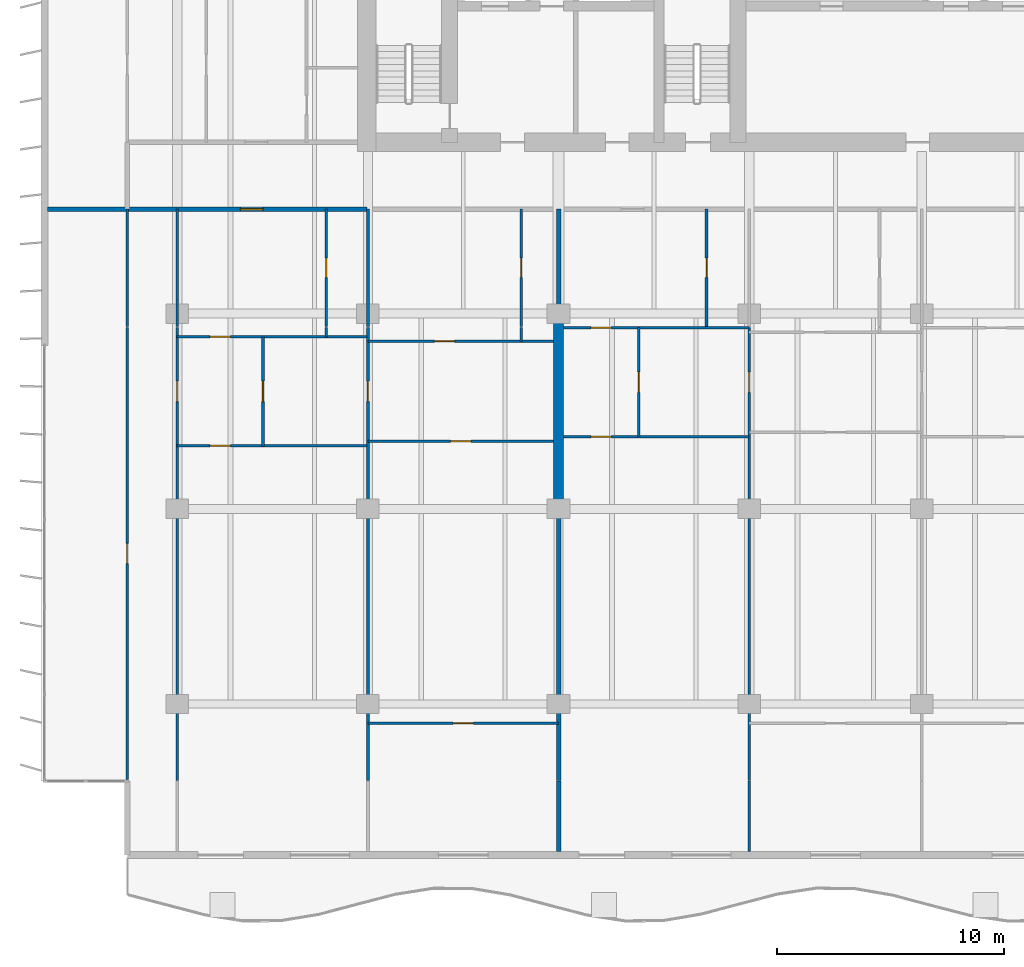
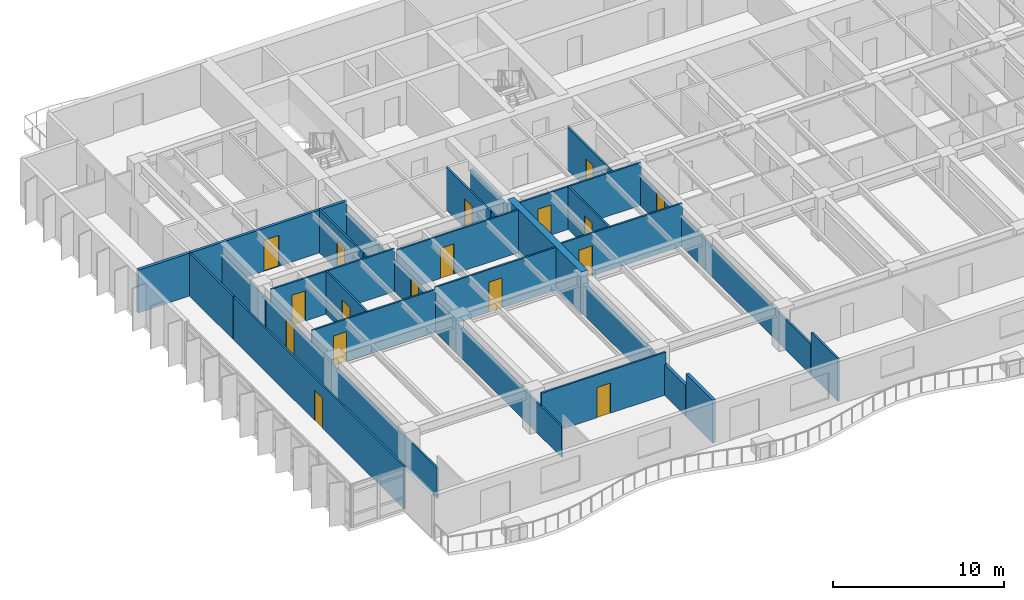
# One storey, part 6 of 15: 28 walls, 17 doors, 17 openings.
"""IFC4 building model written with IfcOpenShell, lengths in metres."""

from ifc_helpers import new_model, si_unit, direction, frame, frame_2d, origin, place, context, subcontext, project, spatial, rectangle, extrude, material, layer, layer_set, type_object, element, fill, save


model = new_model("IFC4")

# Units and contexts
model_context = context("Model", 3, precision=1e-05, world=origin(), true_north=direction((0.0, 1.0)))
body_context = subcontext(model_context, "Body", "Model", "MODEL_VIEW")
ifc_project = project(units=[si_unit("LENGTHUNIT", "METRE"), si_unit("AREAUNIT", "SQUARE_METRE"), si_unit("VOLUMEUNIT", "CUBIC_METRE"), si_unit("PLANEANGLEUNIT", "RADIAN"), si_unit("MASSUNIT", "GRAM", prefix="KILO")], contexts=[model_context])

# Site, building, storey
site_placement = place(None, origin())
site = spatial("IfcSite", under=ifc_project, at=site_placement, CompositionType="ELEMENT")
building_placement = place(site_placement, origin())
building = spatial("IfcBuilding", under=site, at=building_placement, Name="Caelmar Bay Residences", CompositionType="ELEMENT")
storey_placement = place(building_placement, frame((0.0, 0.0, 138.89990234375)))
storey = spatial("IfcBuildingStorey", under=building, at=storey_placement, Name="L38", CompositionType="ELEMENT", Elevation=138.89990234375)

# Wall
ifc_material_1 = material(Name="Concrete f'c 55 MPa (8,000 psi)", Category="concrete")
ifc_layer_1 = layer(ifc_material_1, 0.449951171875)
ifc_layer_set_1 = layer_set([ifc_layer_1], Name="Concrete f'c 55 MPa (8,000 psi)")
wall_type_1 = type_object("IfcWallType", Name="SW-XSLB-450", PredefinedType="SHEAR", material=ifc_layer_set_1)
wall_1_placement = place(storey_placement, frame((26.699951171875, 20.800048828125, 0.0), z_axis=(0.0, 0.0, 1.0), x_axis=(0.0, 1.0, 0.0)))
element("IfcWall", 1, at=wall_1_placement, inside=storey, type_object=wall_type_1, Name="L38 Transverse Cross-Slab Shear Wall W5", PredefinedType="SHEAR", context=body_context, shape_type="SweptSolid", body=[
    extrude(rectangle(XDim=8.599853515625, YDim=0.449951171875, at=frame_2d((4.2998046875, 0.0))), origin(), (0.0, 0.0, 1.0), 3.050048828125),
])

# Wall, opening, door
ifc_material_2 = material(Name="Double-stud acoustic fire-rated gypsum partition 180 mm")
ifc_layer_2 = layer(ifc_material_2, 0.179931640625)
ifc_layer_set_2 = layer_set([ifc_layer_2], Name="Double-stud acoustic fire-rated gypsum partition 180 mm")
wall_type_2 = type_object("IfcWallType", Name="W-COR-200", PredefinedType="PARTITIONING", material=ifc_layer_set_2)
wall_2_placement = place(storey_placement, frame((7.705078125, 34.0, 0.0), z_axis=(0.0, 0.0, 1.0), x_axis=(1.0, 0.0, 0.0)))
wall_2 = element("IfcWall", 2, at=wall_2_placement, inside=storey, type_object=wall_type_2, Name="L38 Partition Wall H095", PredefinedType="PARTITIONING", context=body_context, shape_type="SweptSolid", body=[
    extrude(rectangle(XDim=10.544921875, YDim=0.179931640625, at=frame_2d((5.2724609375, 0.0))), origin(), (0.0, 0.0, 1.0), 3.050048828125),
])
opening_1_placement = place(wall_2_placement, frame((4.978515625, 0.0, 0.0)))
opening_1 = element("IfcOpeningElement", 3, at=opening_1_placement, cuts=wall_2, Name="Opening D-L38-121", PredefinedType="OPENING", context=body_context, shape_type="SweptSolid", body=[
    extrude(rectangle(XDim=1.0, YDim=2.199951171875, at=frame_2d((0.5, 1.10009765625))), frame((0.0, 0.099853515625, 0.0), z_axis=(0.0, -1.0, 0.0), x_axis=(1.0, 0.0, 0.0)), (0.0, 0.0, 1.0), 0.199951171875),
])
ifc_material_3 = material(Name="Fire-rated steel and walnut architectural door assembly", Category="steel")
ifc_layer_3 = layer(ifc_material_3, 0.050048828125)
ifc_layer_set_3 = layer_set([ifc_layer_3], Name="Fire-rated steel and walnut architectural door assembly")
door_type_1 = type_object("IfcDoorType", Name="D-UNIT-1000", OperationType="NOTDEFINED", PredefinedType="DOOR", material=ifc_layer_set_3)
door_1_placement = place(opening_1_placement, origin())
door_1 = element("IfcDoor", 4, at=door_1_placement, inside=storey, type_object=door_type_1, Name="L38 Residence 01 Apartment Hall Door", OperationType="SINGLE_SWING_RIGHT", OverallHeight=2.199951171875, OverallWidth=1.0, PredefinedType="DOOR", context=body_context, shape_type="SweptSolid", body=[
    extrude(rectangle(XDim=1.0, YDim=2.199951171875, at=frame_2d((0.5, 1.10009765625))), frame((0.0, 0.02490234375, 0.0), z_axis=(0.0, -1.0, 0.0), x_axis=(1.0, 0.0, 0.0)), (0.0, 0.0, 1.0), 0.050048828125),
])
fill(opening_1, door_1)

ifc_material_4 = material(Name="Acoustic metal-stud gypsum partition 120 mm")
ifc_layer_4 = layer(ifc_material_4, 0.1201171875)
ifc_layer_set_4 = layer_set([ifc_layer_4], Name="Acoustic metal-stud gypsum partition 120 mm")
wall_type_3 = type_object("IfcWallType", Name="W-PRT-120", PredefinedType="PARTITIONING", material=ifc_layer_set_4)
wall_3_placement = place(storey_placement, frame((7.699951171875, 8.885009765625, 0.0), z_axis=(0.0, 0.0, 1.0), x_axis=(0.0, 1.0, 0.0)))
wall_3 = element("IfcWall", 5, at=wall_3_placement, inside=storey, type_object=wall_type_3, Name="L38 Partition Wall V001", PredefinedType="PARTITIONING", context=body_context, shape_type="SweptSolid", body=[
    extrude(rectangle(XDim=19.89501953125, YDim=0.1201171875, at=frame_2d((9.947509765625, 0.0))), origin(), (0.0, 0.0, 1.0), 3.050048828125),
])
opening_2_placement = place(wall_3_placement, frame((9.49755859375, 0.0, 0.0)))
opening_2 = element("IfcOpeningElement", 6, at=opening_2_placement, cuts=wall_3, Name="Opening D-L38-162", PredefinedType="OPENING", context=body_context, shape_type="SweptSolid", body=[
    extrude(rectangle(XDim=0.89990234375, YDim=2.14990234375, at=frame_2d((0.449951171875, 1.074951171875))), frame((0.0, 0.070068359375, 0.0), z_axis=(0.0, -1.0, 0.0), x_axis=(1.0, 0.0, 0.0)), (0.0, 0.0, 1.0), 0.14013671875),
])
ifc_material_5 = material(Name="Solid walnut timber interior door leaf and frame", Category="wood")
ifc_layer_5 = layer(ifc_material_5, 0.050048828125)
ifc_layer_set_5 = layer_set([ifc_layer_5], Name="Solid walnut timber interior door leaf and frame")
door_type_2 = type_object("IfcDoorType", Name="D-ROOM-900", OperationType="NOTDEFINED", PredefinedType="DOOR", material=ifc_layer_set_5)
door_2_placement = place(opening_2_placement, origin())
door_2 = element("IfcDoor", 7, at=door_2_placement, inside=storey, type_object=door_type_2, Name="L38 Residence 01 Penthouse West Salon Door", OperationType="SINGLE_SWING_LEFT", OverallHeight=2.14990234375, OverallWidth=0.89990234375, PredefinedType="DOOR", context=body_context, shape_type="SweptSolid", body=[
    extrude(rectangle(XDim=0.89990234375, YDim=2.14990234375, at=frame_2d((0.449951171875, 1.074951171875))), frame((0.0, 0.02490234375, 0.0), z_axis=(0.0, -1.0, 0.0), x_axis=(1.0, 0.0, 0.0)), (0.0, 0.0, 1.0), 0.050048828125),
])
fill(opening_2, door_2)

# Wall
wall_4_placement = place(storey_placement, frame((7.699951171875, 28.840087890625, 0.0), z_axis=(0.0, 0.0, 1.0), x_axis=(0.0, 1.0, 0.0)))
element("IfcWall", 8, at=wall_4_placement, inside=storey, type_object=wall_type_3, Name="L38 Partition Wall V002", PredefinedType="PARTITIONING", context=body_context, shape_type="SweptSolid", body=[
    extrude(rectangle(XDim=5.159912109375, YDim=0.1201171875, at=frame_2d((2.580078125, 0.0))), origin(), (0.0, 0.0, 1.0), 3.050048828125),
])

# Wall, opening, door
wall_5_placement = place(storey_placement, frame((9.89990234375, 8.840087890625, 0.0), z_axis=(0.0, 0.0, 1.0), x_axis=(0.0, 1.0, 0.0)))
wall_5 = element("IfcWall", 9, at=wall_5_placement, inside=storey, type_object=wall_type_3, Name="L38 Partition Wall V007", PredefinedType="PARTITIONING", context=body_context, shape_type="SweptSolid", body=[
    extrude(rectangle(XDim=19.93994140625, YDim=0.1201171875, at=frame_2d((9.969970703125, 0.0))), origin(), (0.0, 0.0, 1.0), 2.174072265625),
])
opening_3_placement = place(wall_5_placement, frame((16.68994140625, 0.0, 0.0)))
opening_3 = element("IfcOpeningElement", 10, at=opening_3_placement, cuts=wall_5, Name="Opening D-L38-131", PredefinedType="OPENING", context=body_context, shape_type="SweptSolid", body=[
    extrude(rectangle(XDim=0.89990234375, YDim=2.1240234375, at=frame_2d((0.449951171875, 1.06201171875))), frame((0.0, 0.070068359375, 0.0), z_axis=(0.0, -1.0, 0.0), x_axis=(1.0, 0.0, 0.0)), (0.0, 0.0, 1.0), 0.14013671875),
])
door_3_placement = place(opening_3_placement, origin())
door_3 = element("IfcDoor", 11, at=door_3_placement, inside=storey, type_object=door_type_2, Name="L38 Residence 01 West Apartment Hall Door", OperationType="SINGLE_SWING_RIGHT", OverallHeight=2.1240234375, OverallWidth=0.89990234375, PredefinedType="DOOR", context=body_context, shape_type="SweptSolid", body=[
    extrude(rectangle(XDim=0.89990234375, YDim=2.1240234375, at=frame_2d((0.449951171875, 1.06201171875))), frame((0.0, 0.02490234375, 0.0), z_axis=(0.0, -1.0, 0.0), x_axis=(1.0, 0.0, 0.0)), (0.0, 0.0, 1.0), 0.050048828125),
])
fill(opening_3, door_3)

# Wall
wall_6_placement = place(storey_placement, frame((9.89990234375, 28.840087890625, 0.0), z_axis=(0.0, 0.0, 1.0), x_axis=(0.0, 1.0, 0.0)))
element("IfcWall", 12, at=wall_6_placement, inside=storey, type_object=wall_type_3, Name="L38 Partition Wall V008", PredefinedType="PARTITIONING", context=body_context, shape_type="SweptSolid", body=[
    extrude(rectangle(XDim=5.159912109375, YDim=0.1201171875, at=frame_2d((2.580078125, 0.0))), origin(), (0.0, 0.0, 1.0), 2.174072265625),
])

# Wall, opening, door
wall_7_placement = place(storey_placement, frame((13.679931640625, 23.580078125, 0.0), z_axis=(0.0, 0.0, 1.0), x_axis=(0.0, 1.0, 0.0)))
wall_7 = element("IfcWall", 13, at=wall_7_placement, inside=storey, type_object=wall_type_3, Name="L38 Partition Wall V010", PredefinedType="PARTITIONING", context=body_context, shape_type="SweptSolid", body=[
    extrude(rectangle(XDim=4.7998046875, YDim=0.1201171875, at=frame_2d((2.39990234375, 0.0))), origin(), (0.0, 0.0, 1.0), 3.050048828125),
])
opening_4_placement = place(wall_7_placement, frame((1.949951171875, 0.0, 0.0)))
opening_4 = element("IfcOpeningElement", 14, at=opening_4_placement, cuts=wall_7, Name="Opening D-L38-124", PredefinedType="OPENING", context=body_context, shape_type="SweptSolid", body=[
    extrude(rectangle(XDim=0.89990234375, YDim=2.14990234375, at=frame_2d((0.449951171875, 1.074951171875))), frame((0.0, 0.070068359375, 0.0), z_axis=(0.0, -1.0, 0.0), x_axis=(1.0, 0.0, 0.0)), (0.0, 0.0, 1.0), 0.14013671875),
])
door_4_placement = place(opening_4_placement, origin())
door_4 = element("IfcDoor", 15, at=door_4_placement, inside=storey, type_object=door_type_2, Name="L38 Residence 01 Kitchen Door", OperationType="SINGLE_SWING_LEFT", OverallHeight=2.14990234375, OverallWidth=0.89990234375, PredefinedType="DOOR", context=body_context, shape_type="SweptSolid", body=[
    extrude(rectangle(XDim=0.89990234375, YDim=2.14990234375, at=frame_2d((0.449951171875, 1.074951171875))), frame((0.0, 0.02490234375, 0.0), z_axis=(0.0, -1.0, 0.0), x_axis=(1.0, 0.0, 0.0)), (0.0, 0.0, 1.0), 0.050048828125),
])
fill(opening_4, door_4)

# Wall
wall_8_placement = place(storey_placement, frame((16.467041015625, 28.3798828125, 0.0), z_axis=(0.0, 0.0, 1.0), x_axis=(0.0, 1.0, 0.0)))
element("IfcWall", 16, at=wall_8_placement, inside=storey, type_object=wall_type_3, Name="L38 Partition Wall V012", PredefinedType="PARTITIONING", context=body_context, shape_type="SweptSolid", body=[
    extrude(rectangle(XDim=0.400146484375, YDim=0.1201171875, at=frame_2d((0.2001953125, 0.0))), origin(), (0.0, 0.0, 1.0), 3.050048828125),
])

# Wall, opening, door
wall_9_placement = place(storey_placement, frame((16.467041015625, 28.840087890625, 0.0), z_axis=(0.0, 0.0, 1.0), x_axis=(0.0, 1.0, 0.0)))
wall_9 = element("IfcWall", 17, at=wall_9_placement, inside=storey, type_object=wall_type_3, Name="L38 Partition Wall V013", PredefinedType="PARTITIONING", context=body_context, shape_type="SweptSolid", body=[
    extrude(rectangle(XDim=5.159912109375, YDim=0.1201171875, at=frame_2d((2.580078125, 0.0))), origin(), (0.0, 0.0, 1.0), 3.050048828125),
])
opening_5_placement = place(wall_9_placement, frame((2.155029296875, 0.0, 0.0)))
opening_5 = element("IfcOpeningElement", 18, at=opening_5_placement, cuts=wall_9, Name="Opening D-L38-122", PredefinedType="OPENING", context=body_context, shape_type="SweptSolid", body=[
    extrude(rectangle(XDim=0.85009765625, YDim=2.10009765625, at=frame_2d((0.425048828125, 1.050048828125))), frame((0.0, 0.070068359375, 0.0), z_axis=(0.0, -1.0, 0.0), x_axis=(1.0, 0.0, 0.0)), (0.0, 0.0, 1.0), 0.14013671875),
])
ifc_layer_6 = layer(ifc_material_5, 0.050048828125)
ifc_layer_set_6 = layer_set([ifc_layer_6], Name="Solid walnut timber interior door leaf and frame")
door_type_3 = type_object("IfcDoorType", Name="D-BATH-850", OperationType="NOTDEFINED", PredefinedType="DOOR", material=ifc_layer_set_6)
door_5_placement = place(opening_5_placement, origin())
door_5 = element("IfcDoor", 19, at=door_5_placement, inside=storey, type_object=door_type_3, Name="L38 Residence 01 Guest Bathroom Door", OperationType="SINGLE_SWING_LEFT", OverallHeight=2.10009765625, OverallWidth=0.85009765625, PredefinedType="DOOR", context=body_context, shape_type="SweptSolid", body=[
    extrude(rectangle(XDim=0.85009765625, YDim=2.10009765625, at=frame_2d((0.425048828125, 1.050048828125))), frame((0.0, 0.02490234375, 0.0), z_axis=(0.0, -1.0, 0.0), x_axis=(1.0, 0.0, 0.0)), (0.0, 0.0, 1.0), 0.050048828125),
])
fill(opening_5, door_5)

wall_10_placement = place(storey_placement, frame((18.300048828125, 8.840087890625, 0.0), z_axis=(0.0, 0.0, 1.0), x_axis=(0.0, 1.0, 0.0)))
wall_10 = element("IfcWall", 20, at=wall_10_placement, inside=storey, type_object=wall_type_3, Name="L38 Partition Wall V015", PredefinedType="PARTITIONING", context=body_context, shape_type="SweptSolid", body=[
    extrude(rectangle(XDim=19.93994140625, YDim=0.1201171875, at=frame_2d((9.969970703125, 0.0))), origin(), (0.0, 0.0, 1.0), 2.174072265625),
])
opening_6_placement = place(wall_10_placement, frame((16.68994140625, 0.0, 0.0)))
opening_6 = element("IfcOpeningElement", 21, at=opening_6_placement, cuts=wall_10, Name="Opening D-L38-126", PredefinedType="OPENING", context=body_context, shape_type="SweptSolid", body=[
    extrude(rectangle(XDim=0.89990234375, YDim=2.1240234375, at=frame_2d((0.449951171875, 1.06201171875))), frame((0.0, 0.070068359375, 0.0), z_axis=(0.0, -1.0, 0.0), x_axis=(1.0, 0.0, 0.0)), (0.0, 0.0, 1.0), 0.14013671875),
])
door_6_placement = place(opening_6_placement, origin())
door_6 = element("IfcDoor", 22, at=door_6_placement, inside=storey, type_object=door_type_2, Name="L38 Residence 01 Reception Lounge 1 Door", OperationType="SINGLE_SWING_LEFT", OverallHeight=2.1240234375, OverallWidth=0.89990234375, PredefinedType="DOOR", context=body_context, shape_type="SweptSolid", body=[
    extrude(rectangle(XDim=0.89990234375, YDim=2.1240234375, at=frame_2d((0.449951171875, 1.06201171875))), frame((0.0, 0.02490234375, 0.0), z_axis=(0.0, -1.0, 0.0), x_axis=(1.0, 0.0, 0.0)), (0.0, 0.0, 1.0), 0.050048828125),
])
fill(opening_6, door_6)

# Walls
wall_11_placement = place(storey_placement, frame((18.300048828125, 28.840087890625, 0.0), z_axis=(0.0, 0.0, 1.0), x_axis=(0.0, 1.0, 0.0)))
element("IfcWall", 23, at=wall_11_placement, inside=storey, type_object=wall_type_3, Name="L38 Partition Wall V016", PredefinedType="PARTITIONING", context=body_context, shape_type="SweptSolid", body=[
    extrude(rectangle(XDim=5.159912109375, YDim=0.1201171875, at=frame_2d((2.580078125, 0.0))), origin(), (0.0, 0.0, 1.0), 2.174072265625),
])
wall_12_placement = place(storey_placement, frame((25.051025390625, 28.179931640625, 0.0), z_axis=(0.0, 0.0, 1.0), x_axis=(0.0, 1.0, 0.0)))
element("IfcWall", 24, at=wall_12_placement, inside=storey, type_object=wall_type_3, Name="L38 Partition Wall V018", PredefinedType="PARTITIONING", context=body_context, shape_type="SweptSolid", body=[
    extrude(rectangle(XDim=0.60009765625, YDim=0.1201171875, at=frame_2d((0.300048828125, 0.0))), origin(), (0.0, 0.0, 1.0), 3.050048828125),
])

# Wall, opening, door
wall_13_placement = place(storey_placement, frame((25.051025390625, 28.840087890625, 0.0), z_axis=(0.0, 0.0, 1.0), x_axis=(0.0, 1.0, 0.0)))
wall_13 = element("IfcWall", 25, at=wall_13_placement, inside=storey, type_object=wall_type_3, Name="L38 Partition Wall V019", PredefinedType="PARTITIONING", context=body_context, shape_type="SweptSolid", body=[
    extrude(rectangle(XDim=5.159912109375, YDim=0.1201171875, at=frame_2d((2.580078125, 0.0))), origin(), (0.0, 0.0, 1.0), 3.050048828125),
])
opening_7_placement = place(wall_13_placement, frame((2.155029296875, 0.0, 0.0)))
opening_7 = element("IfcOpeningElement", 26, at=opening_7_placement, cuts=wall_13, Name="Opening D-L38-128", PredefinedType="OPENING", context=body_context, shape_type="SweptSolid", body=[
    extrude(rectangle(XDim=0.85009765625, YDim=2.10009765625, at=frame_2d((0.425048828125, 1.050048828125))), frame((0.0, 0.070068359375, 0.0), z_axis=(0.0, -1.0, 0.0), x_axis=(1.0, 0.0, 0.0)), (0.0, 0.0, 1.0), 0.14013671875),
])
door_7_placement = place(opening_7_placement, origin())
door_7 = element("IfcDoor", 27, at=door_7_placement, inside=storey, type_object=door_type_3, Name="L38 Residence 01 En-Suite Bathroom 1 Door", OperationType="SINGLE_SWING_LEFT", OverallHeight=2.10009765625, OverallWidth=0.85009765625, PredefinedType="DOOR", context=body_context, shape_type="SweptSolid", body=[
    extrude(rectangle(XDim=0.85009765625, YDim=2.10009765625, at=frame_2d((0.425048828125, 1.050048828125))), frame((0.0, 0.02490234375, 0.0), z_axis=(0.0, -1.0, 0.0), x_axis=(1.0, 0.0, 0.0)), (0.0, 0.0, 1.0), 0.050048828125),
])
fill(opening_7, door_7)

wall_14_placement = place(storey_placement, frame((30.22802734375, 23.97998046875, 0.0), z_axis=(0.0, 0.0, 1.0), x_axis=(0.0, 1.0, 0.0)))
wall_14 = element("IfcWall", 28, at=wall_14_placement, inside=storey, type_object=wall_type_3, Name="L38 Partition Wall V026", PredefinedType="PARTITIONING", context=body_context, shape_type="SweptSolid", body=[
    extrude(rectangle(XDim=4.800048828125, YDim=0.1201171875, at=frame_2d((2.39990234375, 0.0))), origin(), (0.0, 0.0, 1.0), 3.050048828125),
])
opening_8_placement = place(wall_14_placement, frame((1.949951171875, 0.0, 0.0)))
opening_8 = element("IfcOpeningElement", 29, at=opening_8_placement, cuts=wall_14, Name="Opening D-L38-135", PredefinedType="OPENING", context=body_context, shape_type="SweptSolid", body=[
    extrude(rectangle(XDim=0.89990234375, YDim=2.14990234375, at=frame_2d((0.449951171875, 1.074951171875))), frame((0.0, 0.070068359375, 0.0), z_axis=(0.0, -1.0, 0.0), x_axis=(1.0, 0.0, 0.0)), (0.0, 0.0, 1.0), 0.14013671875),
])
door_8_placement = place(opening_8_placement, origin())
door_8 = element("IfcDoor", 30, at=door_8_placement, inside=storey, type_object=door_type_2, Name="L38 Residence 02 Kitchen Door", OperationType="SINGLE_SWING_RIGHT", OverallHeight=2.14990234375, OverallWidth=0.89990234375, PredefinedType="DOOR", context=body_context, shape_type="SweptSolid", body=[
    extrude(rectangle(XDim=0.89990234375, YDim=2.14990234375, at=frame_2d((0.449951171875, 1.074951171875))), frame((0.0, 0.02490234375, 0.0), z_axis=(0.0, -1.0, 0.0), x_axis=(1.0, 0.0, 0.0)), (0.0, 0.0, 1.0), 0.050048828125),
])
fill(opening_8, door_8)

wall_15_placement = place(storey_placement, frame((33.222900390625, 28.840087890625, 0.0), z_axis=(0.0, 0.0, 1.0), x_axis=(0.0, 1.0, 0.0)))
wall_15 = element("IfcWall", 31, at=wall_15_placement, inside=storey, type_object=wall_type_3, Name="L38 Partition Wall V028", PredefinedType="PARTITIONING", context=body_context, shape_type="SweptSolid", body=[
    extrude(rectangle(XDim=5.159912109375, YDim=0.1201171875, at=frame_2d((2.580078125, 0.0))), origin(), (0.0, 0.0, 1.0), 3.050048828125),
])
opening_9_placement = place(wall_15_placement, frame((2.155029296875, 0.0, 0.0)))
opening_9 = element("IfcOpeningElement", 32, at=opening_9_placement, cuts=wall_15, Name="Opening D-L38-133", PredefinedType="OPENING", context=body_context, shape_type="SweptSolid", body=[
    extrude(rectangle(XDim=0.85009765625, YDim=2.10009765625, at=frame_2d((0.425048828125, 1.050048828125))), frame((0.0, 0.070068359375, 0.0), z_axis=(0.0, -1.0, 0.0), x_axis=(1.0, 0.0, 0.0)), (0.0, 0.0, 1.0), 0.14013671875),
])
door_9_placement = place(opening_9_placement, origin())
door_9 = element("IfcDoor", 33, at=door_9_placement, inside=storey, type_object=door_type_3, Name="L38 Residence 02 Guest Bathroom Door", OperationType="SINGLE_SWING_RIGHT", OverallHeight=2.10009765625, OverallWidth=0.85009765625, PredefinedType="DOOR", context=body_context, shape_type="SweptSolid", body=[
    extrude(rectangle(XDim=0.85009765625, YDim=2.10009765625, at=frame_2d((0.425048828125, 1.050048828125))), frame((0.0, 0.02490234375, 0.0), z_axis=(0.0, -1.0, 0.0), x_axis=(1.0, 0.0, 0.0)), (0.0, 0.0, 1.0), 0.050048828125),
])
fill(opening_9, door_9)

# Wall
wall_16_placement = place(storey_placement, frame((35.10009765625, 5.695068359375, 0.0), z_axis=(0.0, 0.0, 1.0), x_axis=(0.0, 1.0, 0.0)))
element("IfcWall", 34, at=wall_16_placement, inside=storey, type_object=wall_type_3, Name="L38 Partition Wall V029", PredefinedType="PARTITIONING", context=body_context, shape_type="SweptSolid", body=[
    extrude(rectangle(XDim=3.10498046875, YDim=0.1201171875, at=frame_2d((1.552490234375, 0.0))), origin(), (0.0, 0.0, 1.0), 3.050048828125),
])

# Wall, opening, door
wall_17_placement = place(storey_placement, frame((35.10009765625, 8.840087890625, 0.0), z_axis=(0.0, 0.0, 1.0), x_axis=(0.0, 1.0, 0.0)))
wall_17 = element("IfcWall", 35, at=wall_17_placement, inside=storey, type_object=wall_type_3, Name="L38 Partition Wall V030", PredefinedType="PARTITIONING", context=body_context, shape_type="SweptSolid", body=[
    extrude(rectangle(XDim=19.93994140625, YDim=0.1201171875, at=frame_2d((9.969970703125, 0.0))), origin(), (0.0, 0.0, 1.0), 2.174072265625),
])
opening_10_placement = place(wall_17_placement, frame((17.090087890625, 0.0, 0.0)))
opening_10 = element("IfcOpeningElement", 36, at=opening_10_placement, cuts=wall_17, Name="Opening D-L38-137", PredefinedType="OPENING", context=body_context, shape_type="SweptSolid", body=[
    extrude(rectangle(XDim=0.89990234375, YDim=2.1240234375, at=frame_2d((0.449951171875, 1.06201171875))), frame((0.0, 0.070068359375, 0.0), z_axis=(0.0, -1.0, 0.0), x_axis=(1.0, 0.0, 0.0)), (0.0, 0.0, 1.0), 0.14013671875),
])
door_10_placement = place(opening_10_placement, origin())
door_10 = element("IfcDoor", 37, at=door_10_placement, inside=storey, type_object=door_type_2, Name="L38 Residence 02 Reception Lounge 1 Door", OperationType="SINGLE_SWING_RIGHT", OverallHeight=2.1240234375, OverallWidth=0.89990234375, PredefinedType="DOOR", context=body_context, shape_type="SweptSolid", body=[
    extrude(rectangle(XDim=0.89990234375, YDim=2.1240234375, at=frame_2d((0.449951171875, 1.06201171875))), frame((0.0, 0.02490234375, 0.0), z_axis=(0.0, -1.0, 0.0), x_axis=(1.0, 0.0, 0.0)), (0.0, 0.0, 1.0), 0.050048828125),
])
fill(opening_10, door_10)

wall_18_placement = place(storey_placement, frame((18.300048828125, 11.35009765625, 0.0), z_axis=(0.0, 0.0, 1.0), x_axis=(1.0, 0.0, 0.0)))
wall_18 = element("IfcWall", 38, at=wall_18_placement, inside=storey, type_object=wall_type_3, Name="L38 Partition Wall H073", PredefinedType="PARTITIONING", context=body_context, shape_type="SweptSolid", body=[
    extrude(rectangle(XDim=8.39990234375, YDim=0.1201171875, at=frame_2d((4.199951171875, 0.0))), origin(), (0.0, 0.0, 1.0), 3.050048828125),
])
opening_11_placement = place(wall_18_placement, frame((3.75, 0.0, 0.0)))
opening_11 = element("IfcOpeningElement", 39, at=opening_11_placement, cuts=wall_18, Name="Opening D-L38-130", PredefinedType="OPENING", context=body_context, shape_type="SweptSolid", body=[
    extrude(rectangle(XDim=0.89990234375, YDim=2.14990234375, at=frame_2d((0.449951171875, 1.074951171875))), frame((0.0, 0.070068359375, 0.0), z_axis=(0.0, -1.0, 0.0), x_axis=(1.0, 0.0, 0.0)), (0.0, 0.0, 1.0), 0.14013671875),
])
door_11_placement = place(opening_11_placement, origin())
door_11 = element("IfcDoor", 40, at=door_11_placement, inside=storey, type_object=door_type_2, Name="L38 Residence 01 Primary Bedroom 1 Door", OperationType="SINGLE_SWING_LEFT", OverallHeight=2.14990234375, OverallWidth=0.89990234375, PredefinedType="DOOR", context=body_context, shape_type="SweptSolid", body=[
    extrude(rectangle(XDim=0.89990234375, YDim=2.14990234375, at=frame_2d((0.449951171875, 1.074951171875))), frame((0.0, 0.02490234375, 0.0), z_axis=(0.0, -1.0, 0.0), x_axis=(1.0, 0.0, 0.0)), (0.0, 0.0, 1.0), 0.050048828125),
])
fill(opening_11, door_11)

wall_19_placement = place(storey_placement, frame((9.89990234375, 23.580078125, 0.0), z_axis=(0.0, 0.0, 1.0), x_axis=(1.0, 0.0, 0.0)))
wall_19 = element("IfcWall", 41, at=wall_19_placement, inside=storey, type_object=wall_type_3, Name="L38 Partition Wall H080", PredefinedType="PARTITIONING", context=body_context, shape_type="SweptSolid", body=[
    extrude(rectangle(XDim=8.35009765625, YDim=0.1201171875, at=frame_2d((4.175048828125, 0.0))), origin(), (0.0, 0.0, 1.0), 3.050048828125),
])
opening_12_placement = place(wall_19_placement, frame((1.43994140625, 0.0, 0.0)))
opening_12 = element("IfcOpeningElement", 42, at=opening_12_placement, cuts=wall_19, Name="Opening D-L38-125", PredefinedType="OPENING", context=body_context, shape_type="SweptSolid", body=[
    extrude(rectangle(XDim=0.89990234375, YDim=2.14990234375, at=frame_2d((0.449951171875, 1.074951171875))), frame((0.0, 0.070068359375, 0.0), z_axis=(0.0, -1.0, 0.0), x_axis=(1.0, 0.0, 0.0)), (0.0, 0.0, 1.0), 0.14013671875),
])
door_12_placement = place(opening_12_placement, origin())
door_12 = element("IfcDoor", 43, at=door_12_placement, inside=storey, type_object=door_type_2, Name="L38 Residence 01 Penthouse Living Salon Door", OperationType="SINGLE_SWING_RIGHT", OverallHeight=2.14990234375, OverallWidth=0.89990234375, PredefinedType="DOOR", context=body_context, shape_type="SweptSolid", body=[
    extrude(rectangle(XDim=0.89990234375, YDim=2.14990234375, at=frame_2d((0.449951171875, 1.074951171875))), frame((0.0, 0.02490234375, 0.0), z_axis=(0.0, -1.0, 0.0), x_axis=(1.0, 0.0, 0.0)), (0.0, 0.0, 1.0), 0.050048828125),
])
fill(opening_12, door_12)

wall_20_placement = place(storey_placement, frame((18.300048828125, 23.780029296875, 0.0), z_axis=(0.0, 0.0, 1.0), x_axis=(1.0, 0.0, 0.0)))
wall_20 = element("IfcWall", 44, at=wall_20_placement, inside=storey, type_object=wall_type_3, Name="L38 Partition Wall H082", PredefinedType="PARTITIONING", context=body_context, shape_type="SweptSolid", body=[
    extrude(rectangle(XDim=8.179931640625, YDim=0.1201171875, at=frame_2d((4.08984375, 0.0))), origin(), (0.0, 0.0, 1.0), 3.050048828125),
])
opening_13_placement = place(wall_20_placement, frame((3.639892578125, 0.0, 0.0)))
opening_13 = element("IfcOpeningElement", 45, at=opening_13_placement, cuts=wall_20, Name="Opening D-L38-129", PredefinedType="OPENING", context=body_context, shape_type="SweptSolid", body=[
    extrude(rectangle(XDim=0.89990234375, YDim=2.14990234375, at=frame_2d((0.449951171875, 1.074951171875))), frame((0.0, 0.070068359375, 0.0), z_axis=(0.0, -1.0, 0.0), x_axis=(1.0, 0.0, 0.0)), (0.0, 0.0, 1.0), 0.14013671875),
])
door_13_placement = place(opening_13_placement, origin())
door_13 = element("IfcDoor", 46, at=door_13_placement, inside=storey, type_object=door_type_2, Name="L38 Residence 01 Penthouse Sitting Salon 1 Door", OperationType="SINGLE_SWING_RIGHT", OverallHeight=2.14990234375, OverallWidth=0.89990234375, PredefinedType="DOOR", context=body_context, shape_type="SweptSolid", body=[
    extrude(rectangle(XDim=0.89990234375, YDim=2.14990234375, at=frame_2d((0.449951171875, 1.074951171875))), frame((0.0, 0.02490234375, 0.0), z_axis=(0.0, -1.0, 0.0), x_axis=(1.0, 0.0, 0.0)), (0.0, 0.0, 1.0), 0.050048828125),
])
fill(opening_13, door_13)

wall_21_placement = place(storey_placement, frame((26.919921875, 23.97998046875, 0.0), z_axis=(0.0, 0.0, 1.0), x_axis=(1.0, 0.0, 0.0)))
wall_21 = element("IfcWall", 47, at=wall_21_placement, inside=storey, type_object=wall_type_3, Name="L38 Partition Wall H083", PredefinedType="PARTITIONING", context=body_context, shape_type="SweptSolid", body=[
    extrude(rectangle(XDim=8.18017578125, YDim=0.1201171875, at=frame_2d((4.090087890625, 0.0))), origin(), (0.0, 0.0, 1.0), 3.050048828125),
])
opening_14_placement = place(wall_21_placement, frame((1.2041015625, 0.0, 0.0)))
opening_14 = element("IfcOpeningElement", 48, at=opening_14_placement, cuts=wall_21, Name="Opening D-L38-136", PredefinedType="OPENING", context=body_context, shape_type="SweptSolid", body=[
    extrude(rectangle(XDim=0.89990234375, YDim=2.14990234375, at=frame_2d((0.449951171875, 1.074951171875))), frame((0.0, 0.070068359375, 0.0), z_axis=(0.0, -1.0, 0.0), x_axis=(1.0, 0.0, 0.0)), (0.0, 0.0, 1.0), 0.14013671875),
])
door_14_placement = place(opening_14_placement, origin())
door_14 = element("IfcDoor", 49, at=door_14_placement, inside=storey, type_object=door_type_2, Name="L38 Residence 02 Penthouse Living Salon Door", OperationType="SINGLE_SWING_LEFT", OverallHeight=2.14990234375, OverallWidth=0.89990234375, PredefinedType="DOOR", context=body_context, shape_type="SweptSolid", body=[
    extrude(rectangle(XDim=0.89990234375, YDim=2.14990234375, at=frame_2d((0.449951171875, 1.074951171875))), frame((0.0, 0.02490234375, 0.0), z_axis=(0.0, -1.0, 0.0), x_axis=(1.0, 0.0, 0.0)), (0.0, 0.0, 1.0), 0.050048828125),
])
fill(opening_14, door_14)

wall_22_placement = place(storey_placement, frame((18.300048828125, 28.179931640625, 0.0), z_axis=(0.0, 0.0, 1.0), x_axis=(1.0, 0.0, 0.0)))
wall_22 = element("IfcWall", 50, at=wall_22_placement, inside=storey, type_object=wall_type_3, Name="L38 Partition Wall H086", PredefinedType="PARTITIONING", context=body_context, shape_type="SweptSolid", body=[
    extrude(rectangle(XDim=8.179931640625, YDim=0.1201171875, at=frame_2d((4.08984375, 0.0))), origin(), (0.0, 0.0, 1.0), 3.050048828125),
])
opening_15_placement = place(wall_22_placement, frame((2.925537109375, 0.0, 0.0)))
opening_15 = element("IfcOpeningElement", 51, at=opening_15_placement, cuts=wall_22, Name="Opening D-L38-127", PredefinedType="OPENING", context=body_context, shape_type="SweptSolid", body=[
    extrude(rectangle(XDim=0.89990234375, YDim=2.14990234375, at=frame_2d((0.449951171875, 1.074951171875))), frame((0.0, 0.070068359375, 0.0), z_axis=(0.0, -1.0, 0.0), x_axis=(1.0, 0.0, 0.0)), (0.0, 0.0, 1.0), 0.14013671875),
])
door_15_placement = place(opening_15_placement, origin())
door_15 = element("IfcDoor", 52, at=door_15_placement, inside=storey, type_object=door_type_2, Name="L38 Residence 01 Private Reception Room 1 Door", OperationType="SINGLE_SWING_RIGHT", OverallHeight=2.14990234375, OverallWidth=0.89990234375, PredefinedType="DOOR", context=body_context, shape_type="SweptSolid", body=[
    extrude(rectangle(XDim=0.89990234375, YDim=2.14990234375, at=frame_2d((0.449951171875, 1.074951171875))), frame((0.0, 0.02490234375, 0.0), z_axis=(0.0, -1.0, 0.0), x_axis=(1.0, 0.0, 0.0)), (0.0, 0.0, 1.0), 0.050048828125),
])
fill(opening_15, door_15)

wall_23_placement = place(storey_placement, frame((9.89990234375, 28.3798828125, 0.0), z_axis=(0.0, 0.0, 1.0), x_axis=(1.0, 0.0, 0.0)))
wall_23 = element("IfcWall", 53, at=wall_23_placement, inside=storey, type_object=wall_type_3, Name="L38 Partition Wall H087", PredefinedType="PARTITIONING", context=body_context, shape_type="SweptSolid", body=[
    extrude(rectangle(XDim=8.35009765625, YDim=0.1201171875, at=frame_2d((4.175048828125, 0.0))), origin(), (0.0, 0.0, 1.0), 3.050048828125),
])
opening_16_placement = place(wall_23_placement, frame((1.43994140625, 0.0, 0.0)))
opening_16 = element("IfcOpeningElement", 54, at=opening_16_placement, cuts=wall_23, Name="Opening D-L38-123", PredefinedType="OPENING", context=body_context, shape_type="SweptSolid", body=[
    extrude(rectangle(XDim=0.89990234375, YDim=2.14990234375, at=frame_2d((0.449951171875, 1.074951171875))), frame((0.0, 0.070068359375, 0.0), z_axis=(0.0, -1.0, 0.0), x_axis=(1.0, 0.0, 0.0)), (0.0, 0.0, 1.0), 0.14013671875),
])
door_16_placement = place(opening_16_placement, origin())
door_16 = element("IfcDoor", 55, at=door_16_placement, inside=storey, type_object=door_type_2, Name="L38 Residence 01 Dining Room Door", OperationType="SINGLE_SWING_RIGHT", OverallHeight=2.14990234375, OverallWidth=0.89990234375, PredefinedType="DOOR", context=body_context, shape_type="SweptSolid", body=[
    extrude(rectangle(XDim=0.89990234375, YDim=2.14990234375, at=frame_2d((0.449951171875, 1.074951171875))), frame((0.0, 0.02490234375, 0.0), z_axis=(0.0, -1.0, 0.0), x_axis=(1.0, 0.0, 0.0)), (0.0, 0.0, 1.0), 0.050048828125),
])
fill(opening_16, door_16)

wall_24_placement = place(storey_placement, frame((26.919921875, 28.780029296875, 0.0), z_axis=(0.0, 0.0, 1.0), x_axis=(1.0, 0.0, 0.0)))
wall_24 = element("IfcWall", 56, at=wall_24_placement, inside=storey, type_object=wall_type_3, Name="L38 Partition Wall H091", PredefinedType="PARTITIONING", context=body_context, shape_type="SweptSolid", body=[
    extrude(rectangle(XDim=8.18017578125, YDim=0.1201171875, at=frame_2d((4.090087890625, 0.0))), origin(), (0.0, 0.0, 1.0), 3.050048828125),
])
opening_17_placement = place(wall_24_placement, frame((1.2041015625, 0.0, 0.0)))
opening_17 = element("IfcOpeningElement", 57, at=opening_17_placement, cuts=wall_24, Name="Opening D-L38-134", PredefinedType="OPENING", context=body_context, shape_type="SweptSolid", body=[
    extrude(rectangle(XDim=0.89990234375, YDim=2.14990234375, at=frame_2d((0.449951171875, 1.074951171875))), frame((0.0, 0.070068359375, 0.0), z_axis=(0.0, -1.0, 0.0), x_axis=(1.0, 0.0, 0.0)), (0.0, 0.0, 1.0), 0.14013671875),
])
door_17_placement = place(opening_17_placement, origin())
door_17 = element("IfcDoor", 58, at=door_17_placement, inside=storey, type_object=door_type_2, Name="L38 Residence 02 Dining Room Door", OperationType="SINGLE_SWING_LEFT", OverallHeight=2.14990234375, OverallWidth=0.89990234375, PredefinedType="DOOR", context=body_context, shape_type="SweptSolid", body=[
    extrude(rectangle(XDim=0.89990234375, YDim=2.14990234375, at=frame_2d((0.449951171875, 1.074951171875))), frame((0.0, 0.02490234375, 0.0), z_axis=(0.0, -1.0, 0.0), x_axis=(1.0, 0.0, 0.0)), (0.0, 0.0, 1.0), 0.050048828125),
])
fill(opening_17, door_17)

# Walls
ifc_material_6 = material(Name="Acoustic twin-stud fire-rated inter-tenancy partition 200 mm")
ifc_layer_7 = layer(ifc_material_6, 0.199951171875)
ifc_layer_set_7 = layer_set([ifc_layer_7], Name="Acoustic twin-stud fire-rated inter-tenancy partition 200 mm")
wall_type_4 = type_object("IfcWallType", Name="W-PTY-200", PredefinedType="PARTITIONING", material=ifc_layer_set_7)
wall_25_placement = place(storey_placement, frame((26.699951171875, 5.695068359375, 0.0), z_axis=(0.0, 0.0, 1.0), x_axis=(0.0, 1.0, 0.0)))
element("IfcWall", 59, at=wall_25_placement, inside=storey, type_object=wall_type_4, Name="L38 Partition Wall V021", PredefinedType="PARTITIONING", context=body_context, shape_type="SweptSolid", body=[
    extrude(rectangle(XDim=3.10498046875, YDim=0.199951171875, at=frame_2d((1.552490234375, 0.0))), origin(), (0.0, 0.0, 1.0), 3.050048828125),
])
wall_26_placement = place(storey_placement, frame((26.699951171875, 8.840087890625, 0.0), z_axis=(0.0, 0.0, 1.0), x_axis=(0.0, 1.0, 0.0)))
element("IfcWall", 60, at=wall_26_placement, inside=storey, type_object=wall_type_4, Name="L38 Partition Wall V022", PredefinedType="PARTITIONING", context=body_context, shape_type="SweptSolid", body=[
    extrude(rectangle(XDim=11.954833984375, YDim=0.199951171875, at=frame_2d((5.9775390625, 0.0))), origin(), (0.0, 0.0, 1.0), 2.174072265625),
])
wall_27_placement = place(storey_placement, frame((26.699951171875, 29.405029296875, 0.0), z_axis=(0.0, 0.0, 1.0), x_axis=(0.0, 1.0, 0.0)))
element("IfcWall", 61, at=wall_27_placement, inside=storey, type_object=wall_type_4, Name="L38 Partition Wall V023", PredefinedType="PARTITIONING", context=body_context, shape_type="SweptSolid", body=[
    extrude(rectangle(XDim=4.594970703125, YDim=0.199951171875, at=frame_2d((2.29736328125, 0.0))), origin(), (0.0, 0.0, 1.0), 2.335205078125),
])
wall_28_placement = place(storey_placement, frame((4.195068359375, 34.0, 0.0), z_axis=(0.0, 0.0, 1.0), x_axis=(1.0, 0.0, 0.0)))
element("IfcWall", 62, at=wall_28_placement, inside=storey, type_object=wall_type_4, Name="L38 Partition Wall H094", PredefinedType="PARTITIONING", context=body_context, shape_type="SweptSolid", body=[
    extrude(rectangle(XDim=3.5048828125, YDim=0.199951171875, at=frame_2d((1.75244140625, 0.0))), origin(), (0.0, 0.0, 1.0), 3.050048828125),
])

save(model, "model.ifc")
